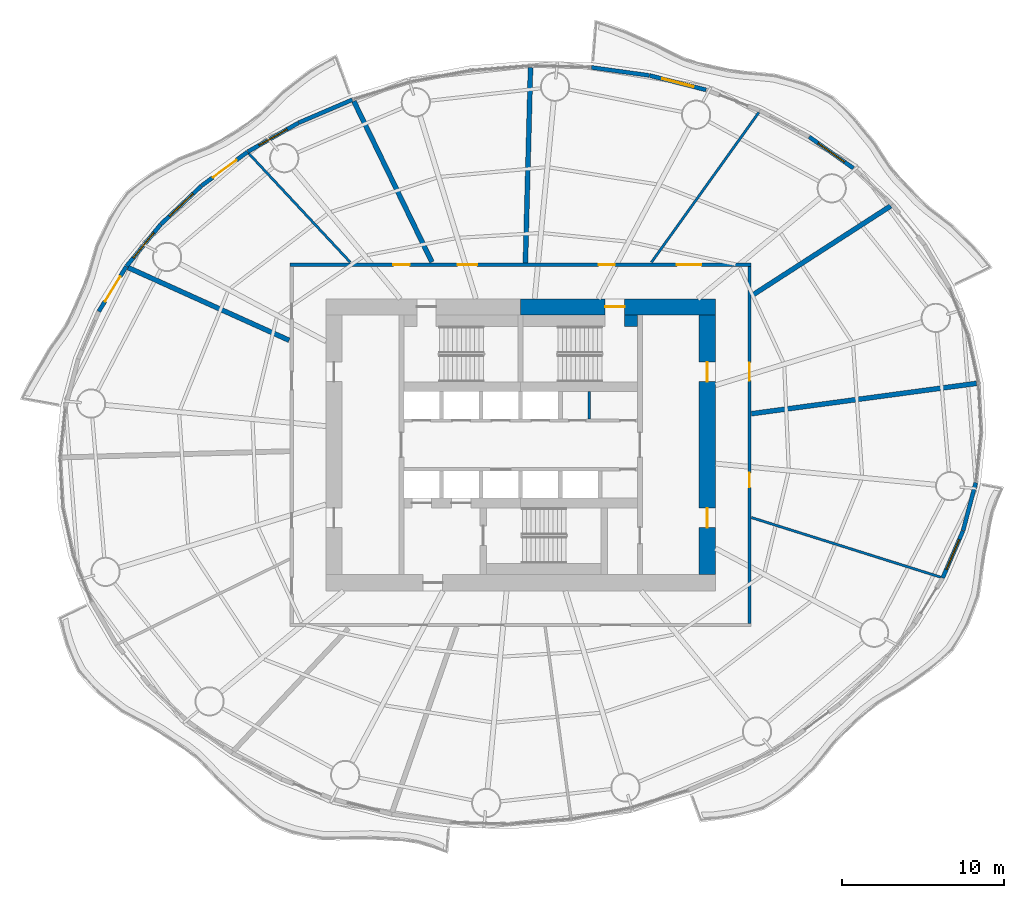
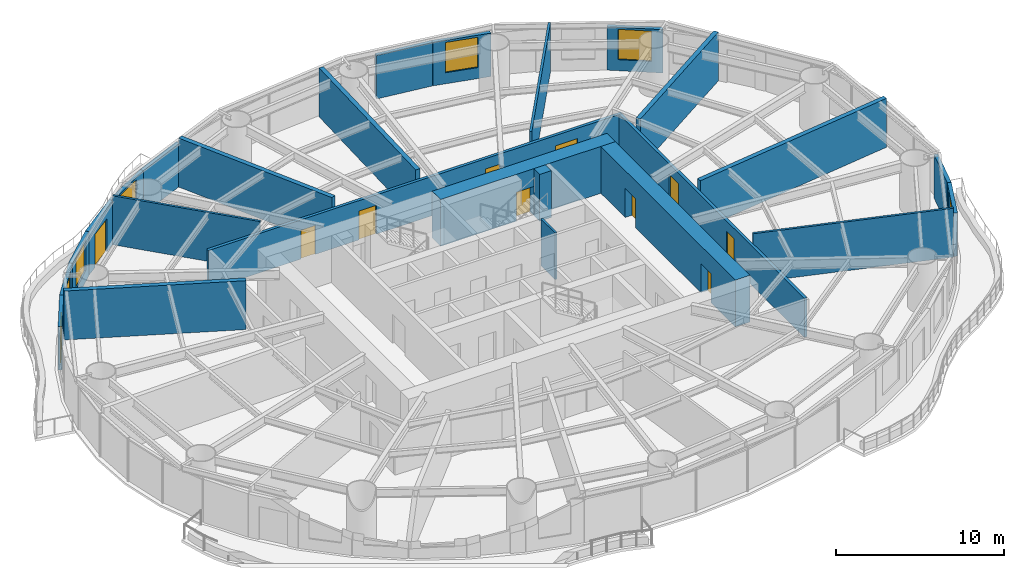
# One storey, part 10 of 16: 25 walls, 11 doors, 6 windows, 17 openings.
"""IFC4 building model written with IfcOpenShell, lengths in metres."""

from ifc_helpers import new_model, si_unit, direction, frame, frame_2d, origin, place, context, subcontext, project, spatial, rectangle, extrude, material, layer, layer_set, type_object, element, fill, save


model = new_model("IFC4")

# Units and contexts
model_context = context("Model", 3, precision=1e-05, world=origin(), true_north=direction((0.0, 1.0)))
body_context = subcontext(model_context, "Body", "Model", "MODEL_VIEW")
ifc_project = project(units=[si_unit("LENGTHUNIT", "METRE"), si_unit("AREAUNIT", "SQUARE_METRE"), si_unit("VOLUMEUNIT", "CUBIC_METRE"), si_unit("PLANEANGLEUNIT", "RADIAN"), si_unit("MASSUNIT", "GRAM", prefix="KILO")], contexts=[model_context])

# Site, building, storey
site_placement = place(None, origin())
site = spatial("IfcSite", under=ifc_project, at=site_placement, CompositionType="ELEMENT")
building_placement = place(site_placement, origin())
building = spatial("IfcBuilding", under=site, at=building_placement, Name="Vermilion Reach Broadcast Tower", CompositionType="ELEMENT")
storey_placement = place(building_placement, frame((0.0, 0.0, 65.60009765625)))
storey = spatial("IfcBuildingStorey", under=building, at=storey_placement, Name="L13", CompositionType="ELEMENT", Elevation=65.60009765625)

# Wall, opening, door
ifc_material_1 = material(Name="Concrete C70", Category="concrete")
ifc_layer_1 = layer(ifc_material_1, 1.0)
ifc_layer_set_1 = layer_set([ifc_layer_1], Name="Core outer wall 1000 mm Concrete C70")
wall_type_1 = type_object("IfcWallType", Name="Core outer wall 1000 mm Concrete C70", PredefinedType="SHEAR", material=ifc_layer_set_1)
wall_1_placement = place(storey_placement, frame((6.0, 8.5, 0.0), z_axis=(0.0, 0.0, 1.0), x_axis=(-1.0, 0.0, 0.0)))
wall_1 = element("IfcWall", 1, at=wall_1_placement, inside=storey, type_object=wall_type_1, Name="L13 core wall onE", PredefinedType="SHEAR", context=body_context, shape_type="SweptSolid", body=[
    extrude(rectangle(XDim=12.0, YDim=1.0, at=frame_2d((6.0, 0.0))), origin(), (0.0, 0.0, 1.0), 3.39990234375),
])
opening_1_placement = place(wall_1_placement, frame((5.60009765625, 0.0, 0.0)))
opening_1 = element("IfcOpeningElement", 2, at=opening_1_placement, cuts=wall_1, Name="Opening D01", PredefinedType="OPENING", context=body_context, shape_type="SweptSolid", body=[
    extrude(rectangle(XDim=1.199951171875, YDim=2.10009765625, at=frame_2d((0.60009765625, 1.050048828125))), frame((0.0, 0.510009765625, 0.0), z_axis=(0.0, -1.0, 0.0), x_axis=(1.0, 0.0, 0.0)), (0.0, 0.0, 1.0), 1.02001953125),
])
ifc_material_2 = material(Name="Painted steel fire door", Category="steel")
door_type_1 = type_object("IfcDoorType", Name="Stair door 1200 x 2100", OperationType="DOUBLE_DOOR_SINGLE_SWING", PredefinedType="NOTDEFINED", material=ifc_material_2)
door_1_placement = place(opening_1_placement, origin())
door_1 = element("IfcDoor", 3, at=door_1_placement, inside=storey, type_object=door_type_1, Name="L13 stair door ST2", OperationType="DOUBLE_DOOR_SINGLE_SWING", OverallHeight=2.10009765625, OverallWidth=1.199951171875, PredefinedType="NOTDEFINED", context=body_context, shape_type="SweptSolid", body=[
    extrude(rectangle(XDim=1.199951171875, YDim=2.10009765625, at=frame_2d((0.60009765625, 1.050048828125))), frame((0.0, 0.02490234375, 0.0), z_axis=(0.0, -1.0, 0.0), x_axis=(1.0, 0.0, 0.0)), (0.0, 0.0, 1.0), 0.050048828125),
])
fill(opening_1, door_1)

# Wall, openings, doors
wall_2_placement = place(storey_placement, frame((5.5, -8.0, 0.0), z_axis=(0.0, 0.0, 1.0), x_axis=(0.0, 1.0, 0.0)))
wall_2 = element("IfcWall", 4, at=wall_2_placement, inside=storey, type_object=wall_type_1, Name="L13 core wall oe", PredefinedType="SHEAR", context=body_context, shape_type="SweptSolid", body=[
    extrude(rectangle(XDim=16.0, YDim=1.0, at=frame_2d((8.0, 0.0))), origin(), (0.0, 0.0, 1.0), 3.39990234375),
])
opening_2_placement = place(wall_2_placement, frame((2.89990234375, 0.0, 0.0)))
opening_2 = element("IfcOpeningElement", 5, at=opening_2_placement, cuts=wall_2, Name="Opening D03", PredefinedType="OPENING", context=body_context, shape_type="SweptSolid", body=[
    extrude(rectangle(XDim=1.199951171875, YDim=2.10009765625, at=frame_2d((0.60009765625, 1.050048828125))), frame((0.0, 0.510009765625, 0.0), z_axis=(0.0, -1.0, 0.0), x_axis=(1.0, 0.0, 0.0)), (0.0, 0.0, 1.0), 1.02001953125),
])
opening_3_placement = place(wall_2_placement, frame((11.89990234375, 0.0, 0.0)))
opening_3 = element("IfcOpeningElement", 6, at=opening_3_placement, cuts=wall_2, Name="Opening D03", PredefinedType="OPENING", context=body_context, shape_type="SweptSolid", body=[
    extrude(rectangle(XDim=1.199951171875, YDim=2.10009765625, at=frame_2d((0.60009765625, 1.050048828125))), frame((0.0, 0.510009765625, 0.0), z_axis=(0.0, -1.0, 0.0), x_axis=(1.0, 0.0, 0.0)), (0.0, 0.0, 1.0), 1.02001953125),
])
ifc_material_3 = material(Name="Painted steel fire door", Category="steel")
door_type_2 = type_object("IfcDoorType", Name="Core lobby door 1200 x 2100", OperationType="DOUBLE_DOOR_SINGLE_SWING", PredefinedType="NOTDEFINED", material=ifc_material_3)
door_2_placement = place(opening_2_placement, origin())
door_2 = element("IfcDoor", 7, at=door_2_placement, inside=storey, type_object=door_type_2, Name="L13 slot door E0", OperationType="DOUBLE_DOOR_SINGLE_SWING", OverallHeight=2.10009765625, OverallWidth=1.199951171875, PredefinedType="NOTDEFINED", context=body_context, shape_type="SweptSolid", body=[
    extrude(rectangle(XDim=1.199951171875, YDim=2.10009765625, at=frame_2d((0.60009765625, 1.050048828125))), frame((0.0, 0.02490234375, 0.0), z_axis=(0.0, -1.0, 0.0), x_axis=(1.0, 0.0, 0.0)), (0.0, 0.0, 1.0), 0.050048828125),
])
fill(opening_2, door_2)
door_3_placement = place(opening_3_placement, origin())
door_3 = element("IfcDoor", 8, at=door_3_placement, inside=storey, type_object=door_type_2, Name="L13 slot door E1", OperationType="DOUBLE_DOOR_SINGLE_SWING", OverallHeight=2.10009765625, OverallWidth=1.199951171875, PredefinedType="NOTDEFINED", context=body_context, shape_type="SweptSolid", body=[
    extrude(rectangle(XDim=1.199951171875, YDim=2.10009765625, at=frame_2d((0.60009765625, 1.050048828125))), frame((0.0, 0.02490234375, 0.0), z_axis=(0.0, -1.0, 0.0), x_axis=(1.0, 0.0, 0.0)), (0.0, 0.0, 1.0), 0.050048828125),
])
fill(opening_3, door_3)

# Walls
ifc_material_4 = material(Name="Masonry block", Category="masonry")
ifc_layer_2 = layer(ifc_material_4, 0.14990234375)
ifc_layer_set_2 = layer_set([ifc_layer_2], Name="Core partition wall 150 mm Masonry block")
wall_type_2 = type_object("IfcWallType", Name="Core partition wall 150 mm Masonry block", PredefinedType="PARTITIONING", material=ifc_layer_set_2)
wall_3_placement = place(storey_placement, frame((-1.765380859375, 1.60009765625, 0.0), z_axis=(0.0, 0.0, 1.0), x_axis=(0.0, 1.0, 0.0)))
element("IfcWall", 9, at=wall_3_placement, inside=storey, type_object=wall_type_2, Name="L13 core wall prN4235", PredefinedType="PARTITIONING", context=body_context, shape_type="SweptSolid", body=[
    extrude(rectangle(XDim=1.679931640625, YDim=0.14990234375, at=frame_2d((0.83984375, 0.0))), origin(), (0.0, 0.0, 1.0), 3.39990234375),
])
ifc_material_5 = material(Name="Concrete C70", Category="concrete")
ifc_layer_3 = layer(ifc_material_5, 0.699951171875)
ifc_layer_set_3 = layer_set([ifc_layer_3], Name="Core stair wall 700 mm Concrete C70")
wall_type_3 = type_object("IfcWallType", Name="Core stair wall 700 mm Concrete C70", PredefinedType="SHEAR", material=ifc_layer_set_3)
wall_4_placement = place(storey_placement, frame((0.39990234375, 7.64990234375, 0.0), z_axis=(0.0, 0.0, 1.0), x_axis=(1.0, 0.0, 0.0)))
element("IfcWall", 10, at=wall_4_placement, inside=storey, type_object=wall_type_3, Name="L13 core wall l2b", PredefinedType="SHEAR", context=body_context, shape_type="SweptSolid", body=[
    extrude(rectangle(XDim=0.800048828125, YDim=0.699951171875, at=frame_2d((0.39990234375, 0.0))), origin(), (0.0, 0.0, 1.0), 3.39990234375),
])
ifc_material_6 = material(Name="Lightweight concrete block, plastered", Category="concrete")
ifc_layer_4 = layer(ifc_material_6, 0.14990234375)
ifc_layer_set_4 = layer_set([ifc_layer_4], Name="Partition 150 lightweight block")
wall_type_4 = type_object("IfcWallType", Name="Partition 150 lightweight block", PredefinedType="PARTITIONING", material=ifc_layer_set_4)
wall_5_placement = place(storey_placement, frame((8.677734375, 20.484619140625, 0.0), z_axis=(0.0, 0.0, 1.0), x_axis=(-0.582440193454, -0.812873557849, 0.0)))
element("IfcWall", 11, at=wall_5_placement, inside=storey, type_object=wall_type_4, Name="Partition 13.03", PredefinedType="PARTITIONING", context=body_context, shape_type="SweptSolid", body=[
    extrude(rectangle(XDim=11.3681640625, YDim=0.14990234375, at=frame_2d((5.68408203125, 0.0))), origin(), (0.0, 0.0, 1.0), 3.5498046875),
])
wall_6_placement = place(storey_placement, frame((-22.748779296875, 17.950439453125, 0.0), z_axis=(0.0, 0.0, 1.0), x_axis=(0.682209065128, -0.731157159205, 0.0)))
element("IfcWall", 12, at=wall_6_placement, inside=storey, type_object=wall_type_4, Name="Partition 13.06", PredefinedType="PARTITIONING", context=body_context, shape_type="SweptSolid", body=[
    extrude(rectangle(XDim=9.16259765625, YDim=0.14990234375, at=frame_2d((4.581298828125, 0.0))), origin(), (0.0, 0.0, 1.0), 3.5498046875),
])
wall_7_placement = place(storey_placement, frame((19.884033203125, -8.154052734375, 0.0), z_axis=(0.0, 0.0, 1.0), x_axis=(-0.953792780191, 0.300465193417, 0.0)))
element("IfcWall", 13, at=wall_7_placement, inside=storey, type_object=wall_type_4, Name="Partition 13.13", PredefinedType="PARTITIONING", context=body_context, shape_type="SweptSolid", body=[
    extrude(rectangle(XDim=12.226318359375, YDim=0.14990234375, at=frame_2d((6.11328125, 0.0))), origin(), (0.0, 0.0, 1.0), 3.5498046875),
])
ifc_material_7 = material(Name="Double-leaf plasterboard on isolated steel stud", Category="steel")
ifc_layer_5 = layer(ifc_material_7, 0.300048828125)
ifc_layer_set_5 = layer_set([ifc_layer_5], Name="Partition 300 acoustic double leaf")
wall_type_5 = type_object("IfcWallType", Name="Partition 300 acoustic double leaf", PredefinedType="PARTITIONING", material=ifc_layer_set_5)
wall_8_placement = place(storey_placement, frame((22.083740234375, 3.787109375, 0.0), z_axis=(0.0, 0.0, 1.0), x_axis=(-0.991028950032, -0.13364737258, 0.0)))
element("IfcWall", 14, at=wall_8_placement, inside=storey, type_object=wall_type_5, Name="Partition 13.01", PredefinedType="PARTITIONING", context=body_context, shape_type="SweptSolid", body=[
    extrude(rectangle(XDim=13.9892578125, YDim=0.300048828125, at=frame_2d((6.99462890625, 0.0))), origin(), (0.0, 0.0, 1.0), 3.5498046875),
])
wall_9_placement = place(storey_placement, frame((16.799560546875, 14.718994140625, 0.0), z_axis=(0.0, 0.0, 1.0), x_axis=(-0.840135613628, -0.542376392106, 0.0)))
element("IfcWall", 15, at=wall_9_placement, inside=storey, type_object=wall_type_5, Name="Partition 13.02", PredefinedType="PARTITIONING", context=body_context, shape_type="SweptSolid", body=[
    extrude(rectangle(XDim=10.13916015625, YDim=0.300048828125, at=frame_2d((5.069580078125, 0.0))), origin(), (0.0, 0.0, 1.0), 3.5498046875),
])
wall_10_placement = place(storey_placement, frame((-5.390869140625, 23.2353515625, 0.0), z_axis=(0.0, 0.0, 1.0), x_axis=(-0.026207995229, -0.999656511501, 0.0)))
element("IfcWall", 16, at=wall_10_placement, inside=storey, type_object=wall_type_5, Name="Partition 13.04", PredefinedType="PARTITIONING", context=body_context, shape_type="SweptSolid", body=[
    extrude(rectangle(XDim=12.03564453125, YDim=0.300048828125, at=frame_2d((6.017822265625, 0.0))), origin(), (0.0, 0.0, 1.0), 3.5498046875),
])
wall_11_placement = place(storey_placement, frame((-16.2744140625, 21.168212890625, 0.0), z_axis=(0.0, 0.0, 1.0), x_axis=(0.436660914919, -0.899626169796, 0.0)))
element("IfcWall", 17, at=wall_11_placement, inside=storey, type_object=wall_type_5, Name="Partition 13.05", PredefinedType="PARTITIONING", context=body_context, shape_type="SweptSolid", body=[
    extrude(rectangle(XDim=11.0078125, YDim=0.300048828125, at=frame_2d((5.50390625, 0.0))), origin(), (0.0, 0.0, 1.0), 3.5498046875),
])
wall_12_placement = place(storey_placement, frame((-30.185791015625, 10.923583984375, 0.0), z_axis=(0.0, 0.0, 1.0), x_axis=(0.91135893381, -0.411612552973, 0.0)))
element("IfcWall", 18, at=wall_12_placement, inside=storey, type_object=wall_type_5, Name="Partition 13.07", PredefinedType="PARTITIONING", context=body_context, shape_type="SweptSolid", body=[
    extrude(rectangle(XDim=10.889404296875, YDim=0.300048828125, at=frame_2d((5.44482421875, 0.0))), origin(), (0.0, 0.0, 1.0), 3.5498046875),
])

# Wall, opening, window
ifc_material_8 = material(Name="Terracotta rainscreen cladding", Category="masonry")
ifc_layer_6 = layer(ifc_material_8, 0.25)
ifc_layer_set_6 = layer_set([ifc_layer_6], Name="Terracotta rainscreen wall 250")
wall_type_6 = type_object("IfcWallType", Name="Terracotta rainscreen wall 250", PredefinedType="SOLIDWALL", material=ifc_layer_set_6)
wall_13_placement = place(storey_placement, frame((14.497314453125, 17.0439453125, 0.0), z_axis=(0.0, 0.0, 1.0), x_axis=(-0.815374335275, 0.578934101064, 0.0)))
wall_13 = element("IfcWall", 19, at=wall_13_placement, inside=storey, type_object=wall_type_6, Name="External wall L13 05", PredefinedType="SOLIDWALL", context=body_context, shape_type="SweptSolid", body=[
    extrude(rectangle(XDim=3.3310546875, YDim=0.25, at=frame_2d((1.66552734375, 0.0))), origin(), (0.0, 0.0, 1.0), 3.14990234375),
])
opening_4_placement = place(wall_13_placement, frame((0.66552734375, 0.0, 0.800048828125)))
opening_4 = element("IfcOpeningElement", 20, at=opening_4_placement, cuts=wall_13, Name="Opening W01", PredefinedType="OPENING", context=body_context, shape_type="SweptSolid", body=[
    extrude(rectangle(XDim=2.0, YDim=2.199951171875, at=frame_2d((1.0, 1.10009765625))), frame((0.0, 0.135009765625, 0.0), z_axis=(0.0, -1.0, 0.0), x_axis=(1.0, 0.0, 0.0)), (0.0, 0.0, 1.0), 0.27001953125),
])
ifc_material_9 = material(Name="Low-e laminated clear glass in aluminium frame", Category="aluminium")
window_type = type_object("IfcWindowType", Name="Punched window 2000 x 2200 sill 800", PartitioningType="SINGLE_PANEL", PredefinedType="WINDOW", material=ifc_material_9)
window_1_placement = place(opening_4_placement, origin())
window_1 = element("IfcWindow", 21, at=window_1_placement, inside=storey, type_object=window_type, Name="Window L13 05", OverallHeight=2.199951171875, OverallWidth=2.0, PartitioningType="SINGLE_PANEL", PredefinedType="WINDOW", context=body_context, shape_type="SweptSolid", body=[
    extrude(rectangle(XDim=2.0, YDim=2.199951171875, at=frame_2d((1.0, 1.10009765625))), frame((0.0, 0.030029296875, 0.0), z_axis=(0.0, -1.0, 0.0), x_axis=(1.0, 0.0, 0.0)), (0.0, 0.0, 1.0), 0.06005859375),
])
fill(opening_4, window_1)

wall_14_placement = place(storey_placement, frame((5.4228515625, 21.86767578125, 0.0), z_axis=(0.0, 0.0, 1.0), x_axis=(-0.968907631907, 0.24742271689, 0.0)))
wall_14 = element("IfcWall", 22, at=wall_14_placement, inside=storey, type_object=wall_type_6, Name="External wall L13 08", PredefinedType="SOLIDWALL", context=body_context, shape_type="SweptSolid", body=[
    extrude(rectangle(XDim=3.582763671875, YDim=0.25, at=frame_2d((1.79150390625, 0.0))), origin(), (0.0, 0.0, 1.0), 3.14990234375),
])
opening_5_placement = place(wall_14_placement, frame((0.791259765625, 0.0, 0.800048828125)))
opening_5 = element("IfcOpeningElement", 23, at=opening_5_placement, cuts=wall_14, Name="Opening W01", PredefinedType="OPENING", context=body_context, shape_type="SweptSolid", body=[
    extrude(rectangle(XDim=2.0, YDim=2.199951171875, at=frame_2d((1.0, 1.10009765625))), frame((0.0, 0.135009765625, 0.0), z_axis=(0.0, -1.0, 0.0), x_axis=(1.0, 0.0, 0.0)), (0.0, 0.0, 1.0), 0.27001953125),
])
window_2_placement = place(opening_5_placement, origin())
window_2 = element("IfcWindow", 24, at=window_2_placement, inside=storey, type_object=window_type, Name="Window L13 08", OverallHeight=2.199951171875, OverallWidth=2.0, PartitioningType="SINGLE_PANEL", PredefinedType="WINDOW", context=body_context, shape_type="SweptSolid", body=[
    extrude(rectangle(XDim=2.0, YDim=2.199951171875, at=frame_2d((1.0, 1.10009765625))), frame((0.0, 0.030029296875, 0.0), z_axis=(0.0, -1.0, 0.0), x_axis=(1.0, 0.0, 0.0)), (0.0, 0.0, 1.0), 0.06005859375),
])
fill(opening_5, window_2)

# Walls
for number, where, z_axis, x_axis, name in (
    (25, (1.9296875, 22.75830078125, 0.0), (0.0, 0.0, 1.0), (-0.990592925524, 0.136841718429, 0.0), "External wall L13 09"),
    (26, (-16.36767578125, 21.263916015625, 0.0), (0.0, 0.0, 1.0), (-0.918983536415, -0.394295903857, 0.0), "External wall L13 14"),
):
    element("IfcWall", number, at=place(storey_placement, frame(where, z_axis=z_axis, x_axis=x_axis)), inside=storey, type_object=wall_type_6, Name=name, PredefinedType="SOLIDWALL", context=body_context, shape_type="SweptSolid", body=[
        extrude(rectangle(XDim=3.5986328125, YDim=0.25, at=frame_2d((1.79931640625, 0.0))), origin(), (0.0, 0.0, 1.0), 3.14990234375),
    ])

# Wall, opening, window
wall_15_placement = place(storey_placement, frame((-19.694580078125, 19.835205078125, 0.0), z_axis=(0.0, 0.0, 1.0), x_axis=(-0.868745900063, -0.495258075273, 0.0)))
wall_15 = element("IfcWall", 27, at=wall_15_placement, inside=storey, type_object=wall_type_6, Name="External wall L13 15", PredefinedType="SOLIDWALL", context=body_context, shape_type="SweptSolid", body=[
    extrude(rectangle(XDim=3.582763671875, YDim=0.25, at=frame_2d((1.79150390625, 0.0))), origin(), (0.0, 0.0, 1.0), 3.14990234375),
])
opening_6_placement = place(wall_15_placement, frame((0.791259765625, 0.0, 0.800048828125)))
opening_6 = element("IfcOpeningElement", 28, at=opening_6_placement, cuts=wall_15, Name="Opening W01", PredefinedType="OPENING", context=body_context, shape_type="SweptSolid", body=[
    extrude(rectangle(XDim=2.0, YDim=2.199951171875, at=frame_2d((1.0, 1.10009765625))), frame((0.0, 0.135009765625, 0.0), z_axis=(0.0, -1.0, 0.0), x_axis=(1.0, 0.0, 0.0)), (0.0, 0.0, 1.0), 0.27001953125),
])
window_3_placement = place(opening_6_placement, origin())
window_3 = element("IfcWindow", 29, at=window_3_placement, inside=storey, type_object=window_type, Name="Window L13 15", OverallHeight=2.199951171875, OverallWidth=2.0, PartitioningType="SINGLE_PANEL", PredefinedType="WINDOW", context=body_context, shape_type="SweptSolid", body=[
    extrude(rectangle(XDim=2.0, YDim=2.199951171875, at=frame_2d((1.0, 1.10009765625))), frame((0.0, 0.030029296875, 0.0), z_axis=(0.0, -1.0, 0.0), x_axis=(1.0, 0.0, 0.0)), (0.0, 0.0, 1.0), 0.06005859375),
])
fill(opening_6, window_3)

# Wall, opening, door
wall_16_placement = place(storey_placement, frame((-22.826171875, 18.048583984375, 0.0), z_axis=(0.0, 0.0, 1.0), x_axis=(-0.805090824586, -0.593151552444, 0.0)))
wall_16 = element("IfcWall", 30, at=wall_16_placement, inside=storey, type_object=wall_type_6, Name="External wall L13 16", PredefinedType="SOLIDWALL", context=body_context, shape_type="SweptSolid", body=[
    extrude(rectangle(XDim=3.507568359375, YDim=0.25, at=frame_2d((1.75390625, 0.0))), origin(), (0.0, 0.0, 1.0), 3.14990234375),
])
opening_7_placement = place(wall_16_placement, frame((0.85400390625, 0.0, 0.0)))
opening_7 = element("IfcOpeningElement", 31, at=opening_7_placement, cuts=wall_16, Name="Opening D70", PredefinedType="OPENING", context=body_context, shape_type="SweptSolid", body=[
    extrude(rectangle(XDim=1.800048828125, YDim=2.39990234375, at=frame_2d((0.89990234375, 1.199951171875))), frame((0.0, 0.135009765625, 0.0), z_axis=(0.0, -1.0, 0.0), x_axis=(1.0, 0.0, 0.0)), (0.0, 0.0, 1.0), 0.27001953125),
])
ifc_material_10 = material(Name="Low-e laminated clear glass in aluminium frame", Category="aluminium")
door_type_3 = type_object("IfcDoorType", Name="Balcony sliding door 1800 x 2400", OperationType="DOUBLE_DOOR_SLIDING", PredefinedType="DOOR", material=ifc_material_10)
door_4_placement = place(opening_7_placement, origin())
door_4 = element("IfcDoor", 32, at=door_4_placement, inside=storey, type_object=door_type_3, Name="Balcony door L13 run 04", OperationType="DOUBLE_DOOR_SLIDING", OverallHeight=2.39990234375, OverallWidth=1.800048828125, PredefinedType="DOOR", context=body_context, shape_type="SweptSolid", body=[
    extrude(rectangle(XDim=1.800048828125, YDim=2.39990234375, at=frame_2d((0.89990234375, 1.199951171875))), frame((0.0, 0.02490234375, 0.0), z_axis=(0.0, -1.0, 0.0), x_axis=(1.0, 0.0, 0.0)), (0.0, 0.0, 1.0), 0.050048828125),
])
fill(opening_7, door_4)

# Wall, opening, window
wall_17_placement = place(storey_placement, frame((-25.66796875, 15.952880859375, 0.0), z_axis=(0.0, 0.0, 1.0), x_axis=(-0.726835063379, -0.686812048994, 0.0)))
wall_17 = element("IfcWall", 33, at=wall_17_placement, inside=storey, type_object=wall_type_6, Name="External wall L13 17", PredefinedType="SOLIDWALL", context=body_context, shape_type="SweptSolid", body=[
    extrude(rectangle(XDim=3.422119140625, YDim=0.25, at=frame_2d((1.7109375, 0.0))), origin(), (0.0, 0.0, 1.0), 3.14990234375),
])
opening_8_placement = place(wall_17_placement, frame((0.711181640625, 0.0, 0.800048828125)))
opening_8 = element("IfcOpeningElement", 34, at=opening_8_placement, cuts=wall_17, Name="Opening W01", PredefinedType="OPENING", context=body_context, shape_type="SweptSolid", body=[
    extrude(rectangle(XDim=2.0, YDim=2.199951171875, at=frame_2d((1.0, 1.10009765625))), frame((0.0, 0.135009765625, 0.0), z_axis=(0.0, -1.0, 0.0), x_axis=(1.0, 0.0, 0.0)), (0.0, 0.0, 1.0), 0.27001953125),
])
window_4_placement = place(opening_8_placement, origin())
window_4 = element("IfcWindow", 35, at=window_4_placement, inside=storey, type_object=window_type, Name="Window L13 17", OverallHeight=2.199951171875, OverallWidth=2.0, PartitioningType="SINGLE_PANEL", PredefinedType="WINDOW", context=body_context, shape_type="SweptSolid", body=[
    extrude(rectangle(XDim=2.0, YDim=2.199951171875, at=frame_2d((1.0, 1.10009765625))), frame((0.0, 0.030029296875, 0.0), z_axis=(0.0, -1.0, 0.0), x_axis=(1.0, 0.0, 0.0)), (0.0, 0.0, 1.0), 0.06005859375),
])
fill(opening_8, window_4)

wall_18_placement = place(storey_placement, frame((-28.171630859375, 13.5849609375, 0.0), z_axis=(0.0, 0.0, 1.0), x_axis=(-0.632874527105, -0.774254372246, 0.0)))
wall_18 = element("IfcWall", 36, at=wall_18_placement, inside=storey, type_object=wall_type_6, Name="External wall L13 18", PredefinedType="SOLIDWALL", context=body_context, shape_type="SweptSolid", body=[
    extrude(rectangle(XDim=3.3310546875, YDim=0.25, at=frame_2d((1.66552734375, 0.0))), origin(), (0.0, 0.0, 1.0), 3.14990234375),
])
opening_9_placement = place(wall_18_placement, frame((0.66552734375, 0.0, 0.800048828125)))
opening_9 = element("IfcOpeningElement", 37, at=opening_9_placement, cuts=wall_18, Name="Opening W01", PredefinedType="OPENING", context=body_context, shape_type="SweptSolid", body=[
    extrude(rectangle(XDim=2.0, YDim=2.199951171875, at=frame_2d((1.0, 1.10009765625))), frame((0.0, 0.135009765625, 0.0), z_axis=(0.0, -1.0, 0.0), x_axis=(1.0, 0.0, 0.0)), (0.0, 0.0, 1.0), 0.27001953125),
])
window_5_placement = place(opening_9_placement, origin())
window_5 = element("IfcWindow", 38, at=window_5_placement, inside=storey, type_object=window_type, Name="Window L13 18", OverallHeight=2.199951171875, OverallWidth=2.0, PartitioningType="SINGLE_PANEL", PredefinedType="WINDOW", context=body_context, shape_type="SweptSolid", body=[
    extrude(rectangle(XDim=2.0, YDim=2.199951171875, at=frame_2d((1.0, 1.10009765625))), frame((0.0, 0.030029296875, 0.0), z_axis=(0.0, -1.0, 0.0), x_axis=(1.0, 0.0, 0.0)), (0.0, 0.0, 1.0), 0.06005859375),
])
fill(opening_9, window_5)

# Wall, opening, door
wall_19_placement = place(storey_placement, frame((-30.294189453125, 10.9853515625, 0.0), z_axis=(0.0, 0.0, 1.0), x_axis=(-0.522692781457, -0.852521117752, 0.0)))
wall_19 = element("IfcWall", 39, at=wall_19_placement, inside=storey, type_object=wall_type_6, Name="External wall L13 19", PredefinedType="SOLIDWALL", context=body_context, shape_type="SweptSolid", body=[
    extrude(rectangle(XDim=3.24072265625, YDim=0.25, at=frame_2d((1.620361328125, 0.0))), origin(), (0.0, 0.0, 1.0), 3.14990234375),
])
opening_10_placement = place(wall_19_placement, frame((0.719970703125, 0.0, 0.0)))
opening_10 = element("IfcOpeningElement", 40, at=opening_10_placement, cuts=wall_19, Name="Opening D70", PredefinedType="OPENING", context=body_context, shape_type="SweptSolid", body=[
    extrude(rectangle(XDim=1.800048828125, YDim=2.39990234375, at=frame_2d((0.89990234375, 1.199951171875))), frame((0.0, 0.135009765625, 0.0), z_axis=(0.0, -1.0, 0.0), x_axis=(1.0, 0.0, 0.0)), (0.0, 0.0, 1.0), 0.27001953125),
])
door_5_placement = place(opening_10_placement, origin())
door_5 = element("IfcDoor", 41, at=door_5_placement, inside=storey, type_object=door_type_3, Name="Balcony door L13 run 05", OperationType="DOUBLE_DOOR_SLIDING", OverallHeight=2.39990234375, OverallWidth=1.800048828125, PredefinedType="DOOR", context=body_context, shape_type="SweptSolid", body=[
    extrude(rectangle(XDim=1.800048828125, YDim=2.39990234375, at=frame_2d((0.89990234375, 1.199951171875))), frame((0.0, 0.02490234375, 0.0), z_axis=(0.0, -1.0, 0.0), x_axis=(1.0, 0.0, 0.0)), (0.0, 0.0, 1.0), 0.050048828125),
])
fill(opening_10, door_5)

# Wall, opening, window
wall_20_placement = place(storey_placement, frame((20.0, -8.199951171875, 0.0), z_axis=(0.0, 0.0, 1.0), x_axis=(0.396530812493, 0.918021413009, 0.0)))
wall_20 = element("IfcWall", 42, at=wall_20_placement, inside=storey, type_object=wall_type_6, Name="External wall L13 44", PredefinedType="SOLIDWALL", context=body_context, shape_type="SweptSolid", body=[
    extrude(rectangle(XDim=3.1572265625, YDim=0.25, at=frame_2d((1.57861328125, 0.0))), origin(), (0.0, 0.0, 1.0), 3.14990234375),
])
opening_11_placement = place(wall_20_placement, frame((0.57861328125, 0.0, 0.800048828125)))
opening_11 = element("IfcOpeningElement", 43, at=opening_11_placement, cuts=wall_20, Name="Opening W01", PredefinedType="OPENING", context=body_context, shape_type="SweptSolid", body=[
    extrude(rectangle(XDim=2.0, YDim=2.199951171875, at=frame_2d((1.0, 1.10009765625))), frame((0.0, 0.135009765625, 0.0), z_axis=(0.0, -1.0, 0.0), x_axis=(1.0, 0.0, 0.0)), (0.0, 0.0, 1.0), 0.27001953125),
])
window_6_placement = place(opening_11_placement, origin())
window_6 = element("IfcWindow", 44, at=window_6_placement, inside=storey, type_object=window_type, Name="Window L13 44", OverallHeight=2.199951171875, OverallWidth=2.0, PartitioningType="SINGLE_PANEL", PredefinedType="WINDOW", context=body_context, shape_type="SweptSolid", body=[
    extrude(rectangle(XDim=2.0, YDim=2.199951171875, at=frame_2d((1.0, 1.10009765625))), frame((0.0, 0.030029296875, 0.0), z_axis=(0.0, -1.0, 0.0), x_axis=(1.0, 0.0, 0.0)), (0.0, 0.0, 1.0), 0.06005859375),
])
fill(opening_11, window_6)

# Wall
wall_21_placement = place(storey_placement, frame((21.260498046875, -5.2763671875, 0.0), z_axis=(0.0, 0.0, 1.0), x_axis=(0.255826473169, 0.966722719101, 0.0)))
element("IfcWall", 45, at=wall_21_placement, inside=storey, type_object=wall_type_6, Name="External wall L13 45", PredefinedType="SOLIDWALL", context=body_context, shape_type="SweptSolid", body=[
    extrude(rectangle(XDim=3.046142578125, YDim=0.25, at=frame_2d((1.52294921875, 0.0))), origin(), (0.0, 0.0, 1.0), 3.14990234375),
])

# Wall, openings, doors
ifc_material_11 = material(Name="Fire-rated gypsum board partition")
ifc_layer_7 = layer(ifc_material_11, 0.199951171875)
ifc_layer_set_7 = layer_set([ifc_layer_7], Name="Under girder: Corridor wall 200 fire-rated")
wall_type_7 = type_object("IfcWallType", Name="Under girder: Corridor wall 200 fire-rated", PredefinedType="PARTITIONING", material=ifc_layer_set_7)
wall_22_placement = place(storey_placement, frame((-20.199951171875, 11.10009765625, 0.0), z_axis=(0.0, 0.0, 1.0), x_axis=(1.0, 0.0, 0.0)))
wall_22 = element("IfcWall", 46, at=wall_22_placement, inside=storey, type_object=wall_type_7, Name="Corridor wall 13.N", PredefinedType="PARTITIONING", context=body_context, shape_type="SweptSolid", body=[
    extrude(rectangle(XDim=28.39990234375, YDim=0.199951171875, at=frame_2d((14.199951171875, 0.0))), origin(), (0.0, 0.0, 1.0), 2.849853515625),
])
opening_12_placement = place(wall_22_placement, frame((23.82763671875, 0.0, 0.0)))
opening_12 = element("IfcOpeningElement", 47, at=opening_12_placement, cuts=wall_22, Name="Opening D24", PredefinedType="OPENING", context=body_context, shape_type="SweptSolid", body=[
    extrude(rectangle(XDim=1.5, YDim=2.10009765625, at=frame_2d((0.75, 1.050048828125))), frame((0.0, 0.10986328125, 0.0), z_axis=(0.0, -1.0, 0.0), x_axis=(1.0, 0.0, 0.0)), (0.0, 0.0, 1.0), 0.219970703125),
])
opening_13_placement = place(wall_22_placement, frame((19.005615234375, 0.0, 0.0)))
opening_13 = element("IfcOpeningElement", 48, at=opening_13_placement, cuts=wall_22, Name="Opening D20", PredefinedType="OPENING", context=body_context, shape_type="SweptSolid", body=[
    extrude(rectangle(XDim=1.0, YDim=2.10009765625, at=frame_2d((0.5, 1.050048828125))), frame((0.0, 0.10986328125, 0.0), z_axis=(0.0, -1.0, 0.0), x_axis=(1.0, 0.0, 0.0)), (0.0, 0.0, 1.0), 0.219970703125),
])
opening_14_placement = place(wall_22_placement, frame((10.32275390625, 0.0, 0.0)))
opening_14 = element("IfcOpeningElement", 49, at=opening_14_placement, cuts=wall_22, Name="Opening D26", PredefinedType="OPENING", context=body_context, shape_type="SweptSolid", body=[
    extrude(rectangle(XDim=1.199951171875, YDim=2.10009765625, at=frame_2d((0.60009765625, 1.050048828125))), frame((0.0, 0.10986328125, 0.0), z_axis=(0.0, -1.0, 0.0), x_axis=(1.0, 0.0, 0.0)), (0.0, 0.0, 1.0), 0.219970703125),
])
opening_15_placement = place(wall_22_placement, frame((6.359619140625, 0.0, 0.0)))
opening_15 = element("IfcOpeningElement", 50, at=opening_15_placement, cuts=wall_22, Name="Opening D20", PredefinedType="OPENING", context=body_context, shape_type="SweptSolid", body=[
    extrude(rectangle(XDim=1.0, YDim=2.10009765625, at=frame_2d((0.5, 1.050048828125))), frame((0.0, 0.10986328125, 0.0), z_axis=(0.0, -1.0, 0.0), x_axis=(1.0, 0.0, 0.0)), (0.0, 0.0, 1.0), 0.219970703125),
])
ifc_material_12 = material(Name="Timber door leaf", Category="wood")
door_type_4 = type_object("IfcDoorType", Name="Door pair 1500x2100", OperationType="NOTDEFINED", PredefinedType="DOOR", material=ifc_material_12)
door_6_placement = place(opening_12_placement, origin())
door_6 = element("IfcDoor", 51, at=door_6_placement, inside=storey, type_object=door_type_4, Name="Door 13.02", OperationType="DOUBLE_DOOR_SINGLE_SWING", OverallHeight=2.10009765625, OverallWidth=1.5, PredefinedType="DOOR", context=body_context, shape_type="SweptSolid", body=[
    extrude(rectangle(XDim=1.5, YDim=2.10009765625, at=frame_2d((0.75, 1.050048828125))), frame((0.0, 0.02490234375, 0.0), z_axis=(0.0, -1.0, 0.0), x_axis=(1.0, 0.0, 0.0)), (0.0, 0.0, 1.0), 0.050048828125),
])
fill(opening_12, door_6)
ifc_material_13 = material(Name="Timber door leaf", Category="wood")
door_type_5 = type_object("IfcDoorType", Name="Door single 1000x2100", OperationType="NOTDEFINED", PredefinedType="DOOR", material=ifc_material_13)
door_7_placement = place(opening_13_placement, origin())
door_7 = element("IfcDoor", 52, at=door_7_placement, inside=storey, type_object=door_type_5, Name="Door 13.03", OperationType="SINGLE_SWING_RIGHT", OverallHeight=2.10009765625, OverallWidth=1.0, PredefinedType="DOOR", context=body_context, shape_type="SweptSolid", body=[
    extrude(rectangle(XDim=1.0, YDim=2.10009765625, at=frame_2d((0.5, 1.050048828125))), frame((0.0, 0.02490234375, 0.0), z_axis=(0.0, -1.0, 0.0), x_axis=(1.0, 0.0, 0.0)), (0.0, 0.0, 1.0), 0.050048828125),
])
fill(opening_13, door_7)
door_8_placement = place(opening_15_placement, origin())
door_8 = element("IfcDoor", 53, at=door_8_placement, inside=storey, type_object=door_type_5, Name="Door 13.05", OperationType="SINGLE_SWING_RIGHT", OverallHeight=2.10009765625, OverallWidth=1.0, PredefinedType="DOOR", context=body_context, shape_type="SweptSolid", body=[
    extrude(rectangle(XDim=1.0, YDim=2.10009765625, at=frame_2d((0.5, 1.050048828125))), frame((0.0, 0.02490234375, 0.0), z_axis=(0.0, -1.0, 0.0), x_axis=(1.0, 0.0, 0.0)), (0.0, 0.0, 1.0), 0.050048828125),
])
fill(opening_15, door_8)
ifc_material_14 = material(Name="Acoustic timber door leaf", Category="wood")
door_type_6 = type_object("IfcDoorType", Name="Door single 1200x2100", OperationType="NOTDEFINED", PredefinedType="DOOR", material=ifc_material_14)
door_9_placement = place(opening_14_placement, origin())
door_9 = element("IfcDoor", 54, at=door_9_placement, inside=storey, type_object=door_type_6, Name="Door 13.04", OperationType="SINGLE_SWING_LEFT", OverallHeight=2.10009765625, OverallWidth=1.199951171875, PredefinedType="DOOR", context=body_context, shape_type="SweptSolid", body=[
    extrude(rectangle(XDim=1.199951171875, YDim=2.10009765625, at=frame_2d((0.60009765625, 1.050048828125))), frame((0.0, 0.02490234375, 0.0), z_axis=(0.0, -1.0, 0.0), x_axis=(1.0, 0.0, 0.0)), (0.0, 0.0, 1.0), 0.050048828125),
])
fill(opening_14, door_9)

wall_23_placement = place(storey_placement, frame((8.10009765625, 11.0, 0.0), z_axis=(0.0, 0.0, 1.0), x_axis=(0.0, -1.0, 0.0)))
wall_23 = element("IfcWall", 55, at=wall_23_placement, inside=storey, type_object=wall_type_7, Name="Corridor wall 13.E", PredefinedType="PARTITIONING", context=body_context, shape_type="SweptSolid", body=[
    extrude(rectangle(XDim=22.0, YDim=0.199951171875, at=frame_2d((11.0, 0.0))), origin(), (0.0, 0.0, 1.0), 2.849853515625),
])
opening_16_placement = place(wall_23_placement, frame((5.939453125, 0.0, 0.0)))
opening_16 = element("IfcOpeningElement", 56, at=opening_16_placement, cuts=wall_23, Name="Opening D28", PredefinedType="OPENING", context=body_context, shape_type="SweptSolid", body=[
    extrude(rectangle(XDim=1.10009765625, YDim=2.10009765625, at=frame_2d((0.550048828125, 1.050048828125))), frame((0.0, 0.10986328125, 0.0), z_axis=(0.0, -1.0, 0.0), x_axis=(1.0, 0.0, 0.0)), (0.0, 0.0, 1.0), 0.219970703125),
])
opening_17_placement = place(wall_23_placement, frame((12.726806640625, 0.0, 0.0)))
opening_17 = element("IfcOpeningElement", 57, at=opening_17_placement, cuts=wall_23, Name="Opening D22", PredefinedType="OPENING", context=body_context, shape_type="SweptSolid", body=[
    extrude(rectangle(XDim=0.89990234375, YDim=2.10009765625, at=frame_2d((0.449951171875, 1.050048828125))), frame((0.0, 0.10986328125, 0.0), z_axis=(0.0, -1.0, 0.0), x_axis=(1.0, 0.0, 0.0)), (0.0, 0.0, 1.0), 0.219970703125),
])
ifc_material_15 = material(Name="Acoustic sound-lock door leaf")
door_type_7 = type_object("IfcDoorType", Name="Door single 1100x2100", OperationType="NOTDEFINED", PredefinedType="DOOR", material=ifc_material_15)
door_10_placement = place(opening_16_placement, origin())
door_10 = element("IfcDoor", 58, at=door_10_placement, inside=storey, type_object=door_type_7, Name="Door 13.01", OperationType="SINGLE_SWING_RIGHT", OverallHeight=2.10009765625, OverallWidth=1.10009765625, PredefinedType="DOOR", context=body_context, shape_type="SweptSolid", body=[
    extrude(rectangle(XDim=1.10009765625, YDim=2.10009765625, at=frame_2d((0.550048828125, 1.050048828125))), frame((0.0, 0.02490234375, 0.0), z_axis=(0.0, -1.0, 0.0), x_axis=(1.0, 0.0, 0.0)), (0.0, 0.0, 1.0), 0.050048828125),
])
fill(opening_16, door_10)
ifc_material_16 = material(Name="Timber door leaf", Category="wood")
door_type_8 = type_object("IfcDoorType", Name="Door single 900x2100", OperationType="NOTDEFINED", PredefinedType="DOOR", material=ifc_material_16)
door_11_placement = place(opening_17_placement, origin())
door_11 = element("IfcDoor", 59, at=door_11_placement, inside=storey, type_object=door_type_8, Name="Door 13.13", OperationType="SINGLE_SWING_RIGHT", OverallHeight=2.10009765625, OverallWidth=0.89990234375, PredefinedType="DOOR", context=body_context, shape_type="SweptSolid", body=[
    extrude(rectangle(XDim=0.89990234375, YDim=2.10009765625, at=frame_2d((0.449951171875, 1.050048828125))), frame((0.0, 0.02490234375, 0.0), z_axis=(0.0, -1.0, 0.0), x_axis=(1.0, 0.0, 0.0)), (0.0, 0.0, 1.0), 0.050048828125),
])
fill(opening_17, door_11)

save(model, "model.ifc")
